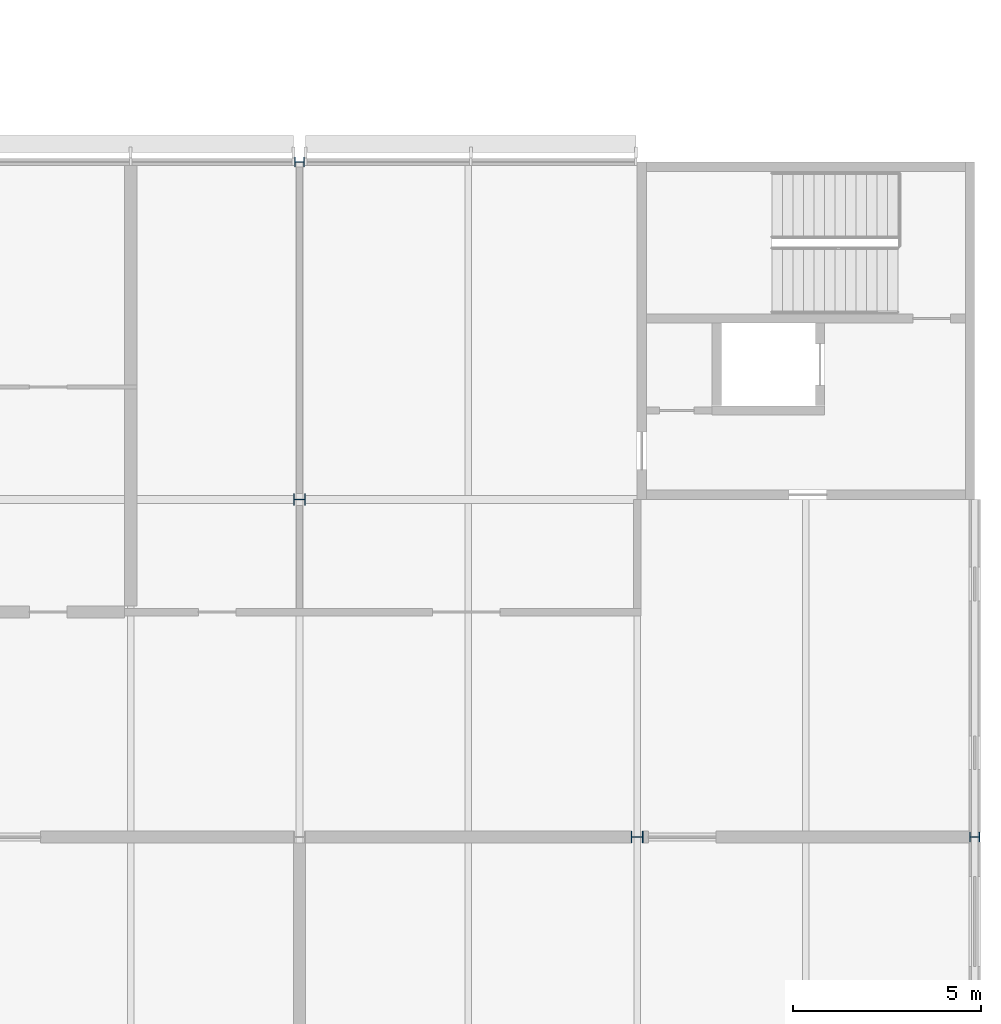
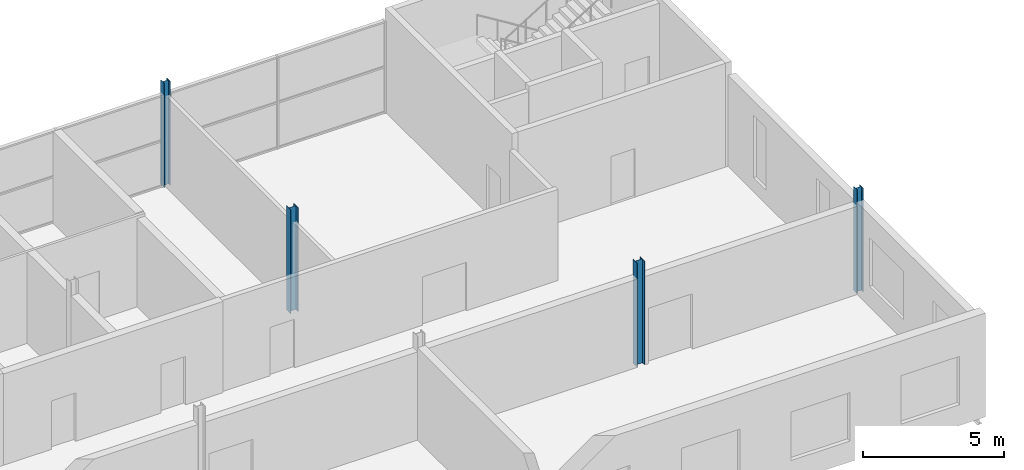
# One storey, part 27 of 97: 4 columns.
"""IFC4 building model written with IfcOpenShell, lengths in metres."""

from ifc_helpers import new_model, si_unit, direction, frame, origin, origin_2d, place, context, subcontext, project, spatial, i_section, extrude, material, material_profile, profile_set, type_object, element, save


model = new_model("IFC4")

# Units and contexts
model_context = context("Model", 3, precision=1e-05, world=origin(), true_north=direction((0.0, 1.0)))
body_context = subcontext(model_context, "Body", "Model", "MODEL_VIEW")
ifc_project = project(units=[si_unit("LENGTHUNIT", "METRE"), si_unit("AREAUNIT", "SQUARE_METRE"), si_unit("VOLUMEUNIT", "CUBIC_METRE"), si_unit("PLANEANGLEUNIT", "RADIAN"), si_unit("MASSUNIT", "GRAM", prefix="KILO")], contexts=[model_context])

# Site, building, storey
site_placement = place(None, origin())
site = spatial("IfcSite", under=ifc_project, at=site_placement, CompositionType="ELEMENT")
building_placement = place(site_placement, origin())
building = spatial("IfcBuilding", under=site, at=building_placement, Name="Corbel Yard City Hall", CompositionType="ELEMENT")
storey_placement = place(building_placement, frame((0.0, 0.0, 6.0)))
storey = spatial("IfcBuildingStorey", under=building, at=storey_placement, Name="L01", CompositionType="ELEMENT", Elevation=6.0)

# Columns
ifc_material = material(Name="Steel Grade 300 (300 MPa yield)", Category="steel")
ifc_material_profile_1 = material_profile(ifc_material, i_section(OverallWidth=0.256103515625, OverallDepth=0.260009765625, WebThickness=0.010498046875, FlangeThickness=0.017333984375, at=origin_2d()), Name="250UC89.5")
ifc_profile_set_1 = profile_set([ifc_material_profile_1], Name="Steel Grade 300 (300 MPa yield)")
column_type_1 = type_object("IfcColumnType", Name="Column 250UC89.5", PredefinedType="COLUMN", material=ifc_profile_set_1)
for number, where, z_axis, x_axis, name in (
    (1, (162.0, 117.0, 0.0), (0.0, 0.0, 1.0), (0.0, 1.0, 0.0), "Column 250UC89.5 N/19 L01"),
    (2, (180.0, 99.0, 0.0), (0.0, 0.0, 1.0), (0.0, 1.0, 0.0), "Column 250UC89.5 L/21 L01"),
):
    element("IfcColumn", number, at=place(storey_placement, frame(where, z_axis=z_axis, x_axis=x_axis)), inside=storey, type_object=column_type_1, Name=name, PredefinedType="COLUMN", context=body_context, shape_type="SweptSolid", body=[
        extrude(i_section(OverallWidth=0.256103515625, OverallDepth=0.260009765625, WebThickness=0.010498046875, FlangeThickness=0.017333984375, at=origin_2d()), origin(), (0.0, 0.0, 1.0), 4.5),
    ])
ifc_material_profile_2 = material_profile(ifc_material, i_section(OverallWidth=0.306884765625, OverallDepth=0.31494140625, WebThickness=0.011962890625, FlangeThickness=0.018798828125, at=origin_2d()), Name="310UC118")
ifc_profile_set_2 = profile_set([ifc_material_profile_2], Name="Steel Grade 300 (300 MPa yield)")
column_type_2 = type_object("IfcColumnType", Name="Column 310UC118", PredefinedType="COLUMN", material=ifc_profile_set_2)
for number, where, z_axis, x_axis, name in (
    (3, (162.0, 108.0, 0.0), (0.0, 0.0, 1.0), (0.0, 1.0, 0.0), "Column 310UC118 M/19 L01"),
    (4, (171.0, 99.0, 0.0), (0.0, 0.0, 1.0), (0.0, 1.0, 0.0), "Column 310UC118 L/20 L01"),
):
    element("IfcColumn", number, at=place(storey_placement, frame(where, z_axis=z_axis, x_axis=x_axis)), inside=storey, type_object=column_type_2, Name=name, PredefinedType="COLUMN", context=body_context, shape_type="SweptSolid", body=[
        extrude(i_section(OverallWidth=0.306884765625, OverallDepth=0.31494140625, WebThickness=0.011962890625, FlangeThickness=0.018798828125, at=origin_2d()), origin(), (0.0, 0.0, 1.0), 4.5),
    ])

save(model, "model.ifc")
